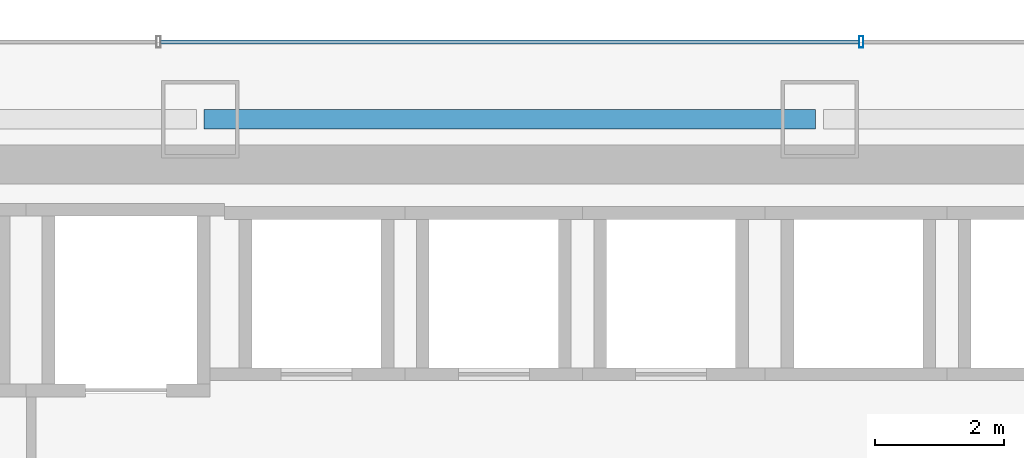
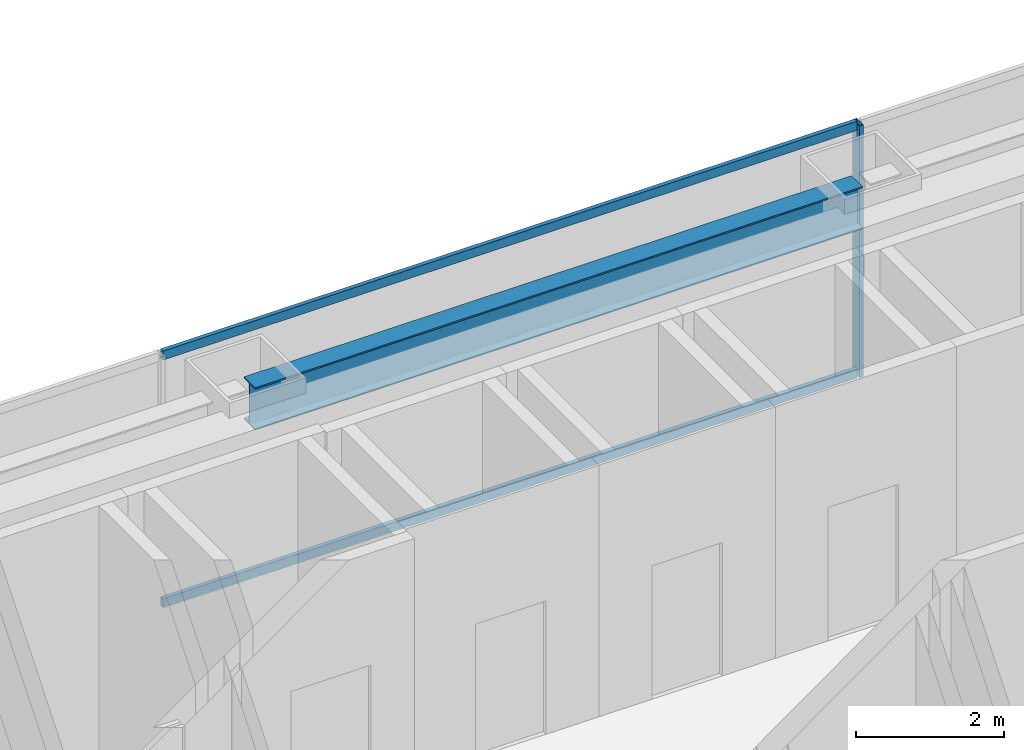
# One storey, part 28 of 47: 3 members, 1 beam, 1 element without a shape of its own.
"""IFC4 building model written with IfcOpenShell, lengths in metres."""

from ifc_helpers import new_model, si_unit, direction, frame, origin, origin_2d, place, context, subcontext, project, spatial, hollow_rectangle, i_section, extrude, material, material_profile, profile_set, type_object, element, aggregate, save


model = new_model("IFC4")

# Units and contexts
model_context = context("Model", 3, precision=1e-05, world=origin(), true_north=direction((0.0, 1.0)))
body_context = subcontext(model_context, "Body", "Model", "MODEL_VIEW")
ifc_project = project(units=[si_unit("LENGTHUNIT", "METRE"), si_unit("AREAUNIT", "SQUARE_METRE"), si_unit("VOLUMEUNIT", "CUBIC_METRE"), si_unit("PLANEANGLEUNIT", "RADIAN"), si_unit("MASSUNIT", "GRAM", prefix="KILO")], contexts=[model_context])

# Site, building, storey
site_placement = place(None, origin())
site = spatial("IfcSite", under=ifc_project, at=site_placement, CompositionType="ELEMENT")
building_placement = place(site_placement, origin())
building = spatial("IfcBuilding", under=site, at=building_placement, Name="Saevonmaru Cultural Tower", CompositionType="ELEMENT")
storey_placement = place(building_placement, frame((0.0, 0.0, 42.800048828125)))
storey = spatial("IfcBuildingStorey", under=building, at=storey_placement, Name="L08", CompositionType="ELEMENT", Elevation=42.800048828125)

# Beam
ifc_material_1 = material(Name="Steel SM355", Category="steel")
ifc_material_profile_1 = material_profile(ifc_material_1, i_section(OverallWidth=0.300048828125, OverallDepth=0.699951171875, WebThickness=0.012939453125, FlangeThickness=0.02392578125, FilletRadius=0.02587890625, at=origin_2d()), Name="H-700x300x13x24")
ifc_profile_set_1 = profile_set([ifc_material_profile_1], Name="Steel SM355")
beam_type = type_object("IfcBeamType", Name="BM-SP-H700", PredefinedType="SPANDREL", material=ifc_profile_set_1)
beam_placement = place(storey_placement, frame((25.260009765625, 54.800048828125, 3.800048828125), z_axis=(1.0, 0.0, 0.0), x_axis=(0.0, 1.0, 0.0)))
element("IfcBeam", 1, at=beam_placement, inside=storey, type_object=beam_type, Name="L08 North Spine Girder 3", PredefinedType="SPANDREL", context=body_context, shape_type="SweptSolid", body=[
    extrude(i_section(OverallWidth=0.300048828125, OverallDepth=0.699951171875, WebThickness=0.012939453125, FlangeThickness=0.02392578125, FilletRadius=0.02587890625, at=origin_2d()), origin(), (0.0, 0.0, 1.0), 9.47998046875),
])

# Curtain wall, members
ifc_material_2 = material(Name="Satin Bronze Anodised Aluminium", Category="aluminium")
curtain_wall_type = type_object("IfcCurtainWallType", Name="CW-TYP-A", PredefinedType="NOTDEFINED", material=ifc_material_2)
curtain_wall_placement = place(storey_placement, origin())
curtain_wall = element("IfcCurtainWall", 2, at=curtain_wall_placement, inside=storey, type_object=curtain_wall_type, Name="L08 North Spine Unitised Curtain Wall E10B", PredefinedType="NOTDEFINED")
ifc_material_profile_2 = material_profile(ifc_material_2, hollow_rectangle(XDim=0.06494140625, YDim=0.179931640625, WallThickness=0.00390625, at=origin_2d()), Name="ALU-MULL-180x65x4")
ifc_profile_set_2 = profile_set([ifc_material_profile_2], Name="Satin Bronze Anodised Aluminium")
member_type_1 = type_object("IfcMemberType", Name="ML-CW-180x65", PredefinedType="MULLION", material=ifc_profile_set_2)
member_1_placement = place(storey_placement, frame((35.44677734375, 56.0, 0.0), z_axis=(0.0, 0.0, 1.0), x_axis=(-1.0, 0.0, 0.0)))
member_1 = element("IfcMember", 3, at=member_1_placement, type_object=member_type_1, Name="CW-TW-L08-E10B mullion 2", PredefinedType="MULLION", context=body_context, shape_type="SweptSolid", body=[
    extrude(hollow_rectangle(XDim=0.06494140625, YDim=0.179931640625, WallThickness=0.00390625, at=origin_2d()), origin(), (0.0, 0.0, 1.0), 4.14990234375),
])
ifc_material_profile_3 = material_profile(ifc_material_2, hollow_rectangle(XDim=0.06494140625, YDim=0.14990234375, WallThickness=0.00390625, at=origin_2d()), Name="ALU-TRAN-150x65x4")
ifc_profile_set_3 = profile_set([ifc_material_profile_3], Name="Satin Bronze Anodised Aluminium")
member_type_2 = type_object("IfcMemberType", Name="TR-CW-150x65", PredefinedType="USERDEFINED", material=ifc_profile_set_3)
member_2_placement = place(storey_placement, frame((35.4140625, 56.0, 0.032470703125), z_axis=(-1.0, 0.0, 0.0), x_axis=(0.0, -1.0, 0.0)))
member_2 = element("IfcMember", 4, at=member_2_placement, type_object=member_type_2, Name="CW-TW-L08-E10B transom 2.1", ObjectType="TRANSOM", PredefinedType="USERDEFINED", context=body_context, shape_type="SweptSolid", body=[
    extrude(hollow_rectangle(XDim=0.06494140625, YDim=0.14990234375, WallThickness=0.00390625, at=origin_2d()), origin(), (0.0, 0.0, 1.0), 10.828125),
])
member_3_placement = place(storey_placement, frame((35.4140625, 56.0, 4.117431640625), z_axis=(-1.0, 0.0, 0.0), x_axis=(0.0, -1.0, 0.0)))
member_3 = element("IfcMember", 5, at=member_3_placement, type_object=member_type_2, Name="CW-TW-L08-E10B transom 2.2", ObjectType="TRANSOM", PredefinedType="USERDEFINED", context=body_context, shape_type="SweptSolid", body=[
    extrude(hollow_rectangle(XDim=0.06494140625, YDim=0.14990234375, WallThickness=0.00390625, at=origin_2d()), origin(), (0.0, 0.0, 1.0), 10.828125),
])
aggregate(curtain_wall, [member_1, member_2, member_3])

save(model, "model.ifc")
